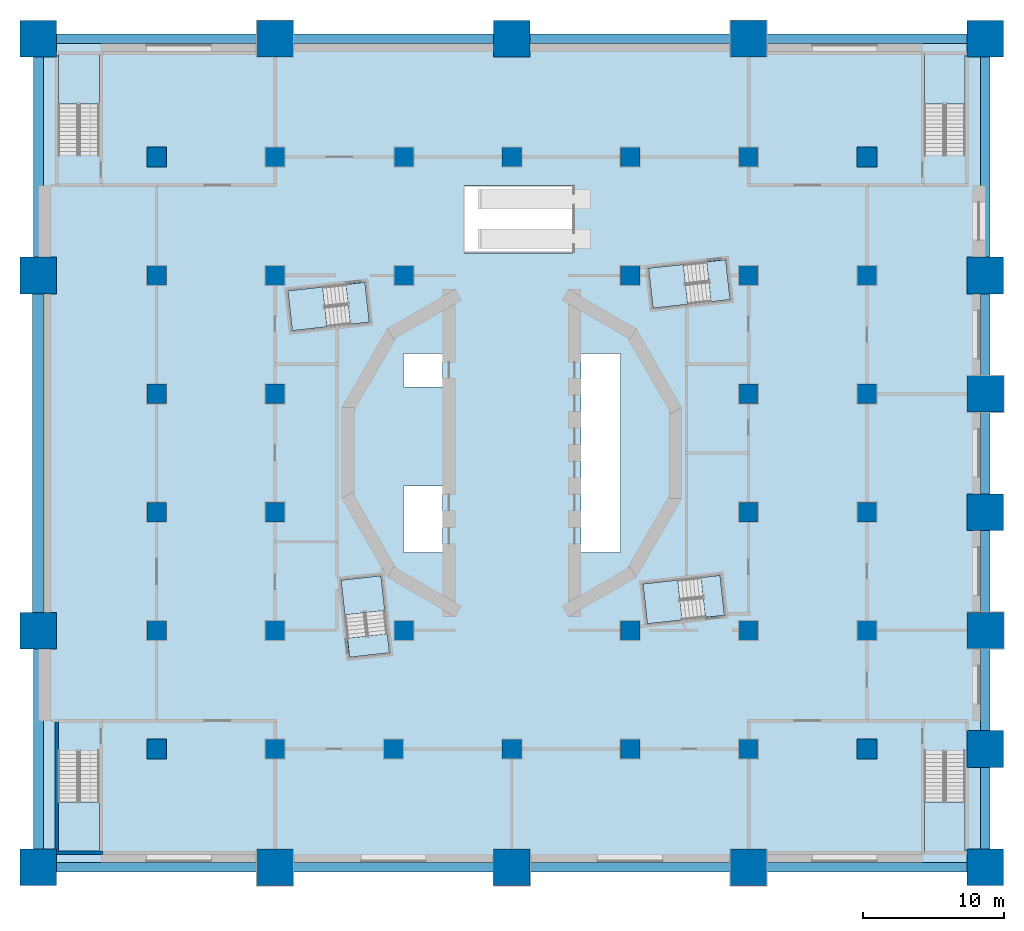
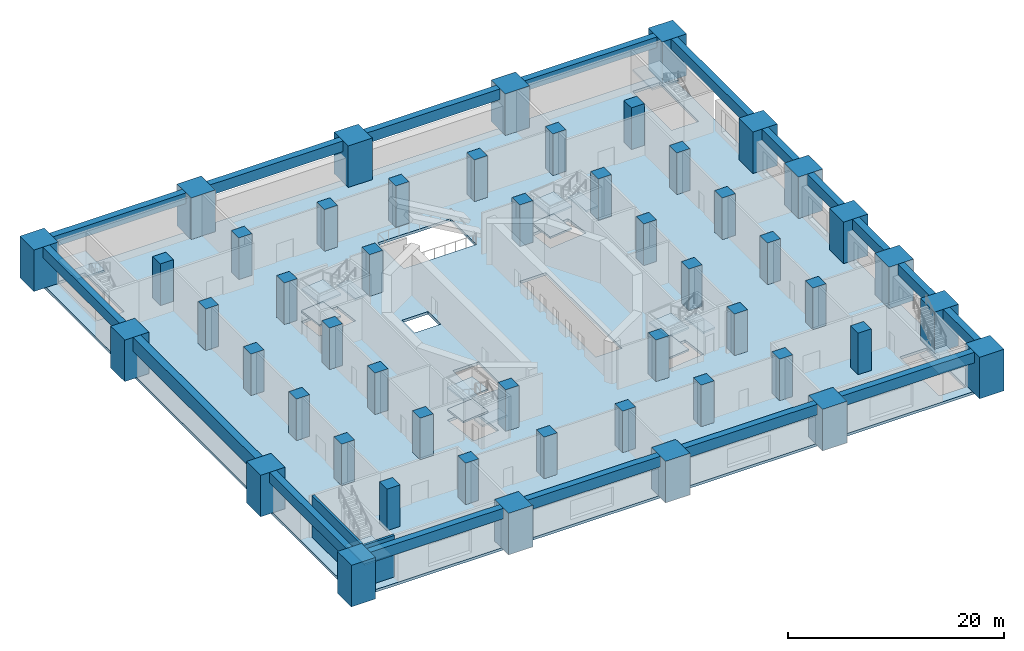
# One storey, part 1 of 18: 51 columns, 17 beams, 17 slabs, 2 walls, 8 elements without a shape of their own.
"""IFC4 building model written with IfcOpenShell, lengths in metres."""

from ifc_helpers import new_model, si_unit, direction, frame, frame_2d, origin, origin_2d, place, context, subcontext, project, spatial, polyline, rectangle, outline, extrude, material, layer, layer_set, material_profile, profile_set, type_object, element, aggregate, save


model = new_model("IFC4")

# Units and contexts
model_context = context("Model", 3, precision=1e-05, world=origin(), true_north=direction((0.0, 1.0)))
body_context = subcontext(model_context, "Body", "Model", "MODEL_VIEW")
ifc_project = project(units=[si_unit("LENGTHUNIT", "METRE"), si_unit("AREAUNIT", "SQUARE_METRE"), si_unit("VOLUMEUNIT", "CUBIC_METRE"), si_unit("PLANEANGLEUNIT", "RADIAN"), si_unit("MASSUNIT", "GRAM", prefix="KILO")], contexts=[model_context])

# Site, building, storey
site_placement = place(None, origin())
site = spatial("IfcSite", under=ifc_project, at=site_placement, CompositionType="ELEMENT")
building_placement = place(site_placement, origin())
building = spatial("IfcBuilding", under=site, at=building_placement, Name="Cantera Rosa Tower", CompositionType="ELEMENT")
storey_placement = place(building_placement, frame((0.0, 0.0, 17.0)))
storey = spatial("IfcBuildingStorey", under=building, at=storey_placement, Name="L02", CompositionType="ELEMENT", Elevation=17.0)

# Columns
ifc_material_1 = material(Name="Concrete C60/75", Category="concrete")
ifc_material_profile_1 = material_profile(ifc_material_1, rectangle(XDim=1.39990234375, YDim=1.39990234375, at=origin_2d()), Name="Column 1400x1400")
ifc_profile_set_1 = profile_set([ifc_material_profile_1], Name="Concrete C60/75")
column_type_1 = type_object("IfcColumnType", Name="Column 1400x1400", PredefinedType="COLUMN", material=ifc_profile_set_1)
for number, where, z_axis, x_axis, name in (
    (1, (-25.199951171875, -21.0, 0.0), (0.0, 0.0, 1.0), (1.0, 0.0, 0.0), "Column C-P-2B"),
    (2, (-25.199951171875, -12.60009765625, 0.0), (0.0, 0.0, 1.0), (1.0, 0.0, 0.0), "Column C-P-2C"),
    (3, (-25.199951171875, -4.199951171875, 0.0), (0.0, 0.0, 1.0), (1.0, 0.0, 0.0), "Column C-P-2D"),
    (4, (-25.199951171875, 4.199951171875, 0.0), (0.0, 0.0, 1.0), (1.0, 0.0, 0.0), "Column C-P-2E"),
    (5, (-25.199951171875, 12.60009765625, 0.0), (0.0, 0.0, 1.0), (1.0, 0.0, 0.0), "Column C-P-2F"),
    (6, (-25.199951171875, 21.0, 0.0), (0.0, 0.0, 1.0), (1.0, 0.0, 0.0), "Column C-P-2G"),
    (7, (-16.800048828125, -21.0, 0.0), (0.0, 0.0, 1.0), (1.0, 0.0, 0.0), "Column C-P-3B"),
    (8, (-16.800048828125, -12.60009765625, 0.0), (0.0, 0.0, 1.0), (1.0, 0.0, 0.0), "Column C-P-3C"),
    (9, (-16.800048828125, -4.199951171875, 0.0), (0.0, 0.0, 1.0), (1.0, 0.0, 0.0), "Column C-P-3D"),
    (10, (-16.800048828125, 4.199951171875, 0.0), (0.0, 0.0, 1.0), (1.0, 0.0, 0.0), "Column C-P-3E"),
    (11, (-16.800048828125, 12.60009765625, 0.0), (0.0, 0.0, 1.0), (1.0, 0.0, 0.0), "Column C-P-3F"),
    (12, (-16.800048828125, 21.0, 0.0), (0.0, 0.0, 1.0), (1.0, 0.0, 0.0), "Column C-P-3G"),
    (13, (-8.39990234375, -21.0, 0.0), (0.0, 0.0, 1.0), (1.0, 0.0, 0.0), "Column C-P-4B"),
    (14, (-7.64990234375, -12.60009765625, 0.0), (0.0, 0.0, 1.0), (1.0, 0.0, 0.0), "Column C-P-4C"),
    (15, (-7.64990234375, 12.60009765625, 0.0), (0.0, 0.0, 1.0), (1.0, 0.0, 0.0), "Column C-B-4N2"),
    (16, (-7.64990234375, 21.0, 0.0), (0.0, 0.0, 1.0), (1.0, 0.0, 0.0), "Column C-B-4N3"),
    (17, (0.0, -21.0, 0.0), (0.0, 0.0, 1.0), (1.0, 0.0, 0.0), "Column C-P-5B"),
    (18, (0.0, 21.0, 0.0), (0.0, 0.0, 1.0), (1.0, 0.0, 0.0), "Column C-P-5G"),
    (19, (8.39990234375, -21.0, 0.0), (0.0, 0.0, 1.0), (1.0, 0.0, 0.0), "Column C-P-6B"),
    (20, (8.39990234375, -12.60009765625, 0.0), (0.0, 0.0, 1.0), (1.0, 0.0, 0.0), "Column C-P-6C"),
    (21, (8.39990234375, 12.60009765625, 0.0), (0.0, 0.0, 1.0), (1.0, 0.0, 0.0), "Column C-P-6F"),
    (22, (8.39990234375, 21.0, 0.0), (0.0, 0.0, 1.0), (1.0, 0.0, 0.0), "Column C-P-6G"),
    (23, (16.800048828125, -21.0, 0.0), (0.0, 0.0, 1.0), (1.0, 0.0, 0.0), "Column C-P-7B"),
    (24, (16.800048828125, -12.60009765625, 0.0), (0.0, 0.0, 1.0), (1.0, 0.0, 0.0), "Column C-P-7C"),
    (25, (16.800048828125, -4.199951171875, 0.0), (0.0, 0.0, 1.0), (1.0, 0.0, 0.0), "Column C-P-7D"),
    (26, (16.800048828125, 4.199951171875, 0.0), (0.0, 0.0, 1.0), (1.0, 0.0, 0.0), "Column C-P-7E"),
    (27, (16.800048828125, 12.60009765625, 0.0), (0.0, 0.0, 1.0), (1.0, 0.0, 0.0), "Column C-P-7F"),
    (28, (16.800048828125, 21.0, 0.0), (0.0, 0.0, 1.0), (1.0, 0.0, 0.0), "Column C-P-7G"),
    (29, (25.199951171875, -21.0, 0.0), (0.0, 0.0, 1.0), (1.0, 0.0, 0.0), "Column C-P-8B"),
    (30, (25.199951171875, -12.60009765625, 0.0), (0.0, 0.0, 1.0), (1.0, 0.0, 0.0), "Column C-P-8C"),
    (31, (25.199951171875, -4.199951171875, 0.0), (0.0, 0.0, 1.0), (1.0, 0.0, 0.0), "Column C-P-8D"),
    (32, (25.199951171875, 4.199951171875, 0.0), (0.0, 0.0, 1.0), (1.0, 0.0, 0.0), "Column C-P-8E"),
    (33, (25.199951171875, 12.60009765625, 0.0), (0.0, 0.0, 1.0), (1.0, 0.0, 0.0), "Column C-P-8F"),
    (34, (25.199951171875, 21.0, 0.0), (0.0, 0.0, 1.0), (1.0, 0.0, 0.0), "Column C-P-8G"),
):
    element("IfcColumn", number, at=place(storey_placement, frame(where, z_axis=z_axis, x_axis=x_axis)), inside=storey, type_object=column_type_1, Name=name, PredefinedType="COLUMN", context=body_context, shape_type="SweptSolid", body=[
        extrude(rectangle(XDim=1.39990234375, YDim=1.39990234375, at=origin_2d()), origin(), (0.0, 0.0, 1.0), 4.699951171875),
    ])
ifc_material_2 = material(Name="Concrete C60/75", Category="concrete")
ifc_material_profile_2 = material_profile(ifc_material_2, rectangle(XDim=2.60009765625, YDim=2.60009765625, at=origin_2d()), Name="Stone pier 2600x2600")
ifc_profile_set_2 = profile_set([ifc_material_profile_2], Name="Concrete C60/75")
column_type_2 = type_object("IfcColumnType", Name="Stone pier 2600x2600", PredefinedType="COLUMN", material=ifc_profile_set_2)
for number, where, z_axis, x_axis, name in (
    (35, (-33.60009765625, -29.39990234375, 0.0), (0.0, 0.0, 1.0), (1.0, 0.0, 0.0), "Column C-P-1A"),
    (36, (-33.60009765625, -12.60009765625, 0.0), (0.0, 0.0, 1.0), (1.0, 0.0, 0.0), "Column C-P-1C"),
    (37, (-33.60009765625, 12.60009765625, 0.0), (0.0, 0.0, 1.0), (1.0, 0.0, 0.0), "Column C-P-1F"),
    (38, (-33.60009765625, 29.39990234375, 0.0), (0.0, 0.0, 1.0), (1.0, 0.0, 0.0), "Column C-P-1H"),
    (39, (-16.800048828125, -29.39990234375, 0.0), (0.0, 0.0, 1.0), (1.0, 0.0, 0.0), "Column C-P-3A"),
    (40, (-16.800048828125, 29.39990234375, 0.0), (0.0, 0.0, 1.0), (1.0, 0.0, 0.0), "Column C-P-3H"),
    (41, (0.0, -29.39990234375, 0.0), (0.0, 0.0, 1.0), (1.0, 0.0, 0.0), "Column C-P-5A"),
    (42, (0.0, 29.39990234375, 0.0), (0.0, 0.0, 1.0), (1.0, 0.0, 0.0), "Column C-P-5H"),
    (43, (16.800048828125, -29.39990234375, 0.0), (0.0, 0.0, 1.0), (1.0, 0.0, 0.0), "Column C-P-7A"),
    (44, (16.800048828125, 29.39990234375, 0.0), (0.0, 0.0, 1.0), (1.0, 0.0, 0.0), "Column C-P-7H"),
    (45, (33.60009765625, -29.39990234375, 0.0), (0.0, 0.0, 1.0), (1.0, 0.0, 0.0), "Column C-P-9A"),
    (46, (33.60009765625, -21.0, 0.0), (0.0, 0.0, 1.0), (1.0, 0.0, 0.0), "Column C-P-9B"),
    (47, (33.60009765625, -12.60009765625, 0.0), (0.0, 0.0, 1.0), (1.0, 0.0, 0.0), "Column C-P-9C"),
    (48, (33.60009765625, -4.199951171875, 0.0), (0.0, 0.0, 1.0), (1.0, 0.0, 0.0), "Column C-P-9D"),
    (49, (33.60009765625, 4.199951171875, 0.0), (0.0, 0.0, 1.0), (1.0, 0.0, 0.0), "Column C-P-9E"),
    (50, (33.60009765625, 12.60009765625, 0.0), (0.0, 0.0, 1.0), (1.0, 0.0, 0.0), "Column C-P-9F"),
    (51, (33.60009765625, 29.39990234375, 0.0), (0.0, 0.0, 1.0), (1.0, 0.0, 0.0), "Column C-P-9H"),
):
    element("IfcColumn", number, at=place(storey_placement, frame(where, z_axis=z_axis, x_axis=x_axis)), inside=storey, type_object=column_type_2, Name=name, PredefinedType="COLUMN", context=body_context, shape_type="SweptSolid", body=[
        extrude(rectangle(XDim=2.60009765625, YDim=2.60009765625, at=origin_2d()), origin(), (0.0, 0.0, 1.0), 4.699951171875),
    ])

# Beams
ifc_material_3 = material(Name="Concrete C50/60", Category="concrete")
ifc_material_profile_3 = material_profile(ifc_material_3, rectangle(XDim=0.699951171875, YDim=1.199951171875, at=origin_2d()), Name="Edge girder 700x1200")
ifc_profile_set_3 = profile_set([ifc_material_profile_3], Name="Concrete C50/60")
beam_type_1 = type_object("IfcBeamType", Name="Edge girder 700x1200", PredefinedType="BEAM", material=ifc_profile_set_3)
beam_1_placement = place(storey_placement, frame((-33.60009765625, -28.10009765625, 4.10009765625), z_axis=(0.0, 1.0, 0.0), x_axis=(-1.0, 0.0, 0.0)))
element("IfcBeam", 52, at=beam_1_placement, inside=storey, type_object=beam_type_1, Name="Edge girder L02-01", PredefinedType="BEAM", context=body_context, shape_type="SweptSolid", body=[
    extrude(rectangle(XDim=0.699951171875, YDim=1.199951171875, at=origin_2d()), origin(), (0.0, 0.0, 1.0), 14.2001953125),
])
beam_2_placement = place(storey_placement, frame((-32.300048828125, -29.39990234375, 4.10009765625), z_axis=(1.0, 0.0, 0.0), x_axis=(0.0, 1.0, 0.0)))
element("IfcBeam", 53, at=beam_2_placement, inside=storey, type_object=beam_type_1, Name="Edge girder L02-02", PredefinedType="BEAM", context=body_context, shape_type="SweptSolid", body=[
    extrude(rectangle(XDim=0.699951171875, YDim=1.199951171875, at=origin_2d()), origin(), (0.0, 0.0, 1.0), 14.199951171875),
])
beam_3_placement = place(storey_placement, frame((-33.60009765625, 13.89990234375, 4.10009765625), z_axis=(0.0, 1.0, 0.0), x_axis=(-1.0, 0.0, 0.0)))
element("IfcBeam", 54, at=beam_3_placement, inside=storey, type_object=beam_type_1, Name="Edge girder L02-04", PredefinedType="BEAM", context=body_context, shape_type="SweptSolid", body=[
    extrude(rectangle(XDim=0.699951171875, YDim=1.199951171875, at=origin_2d()), origin(), (0.0, 0.0, 1.0), 14.2001953125),
])
for number, where, z_axis, x_axis, name in (
    (55, (-32.300048828125, 29.39990234375, 4.10009765625), (1.0, 0.0, 0.0), (0.0, 1.0, 0.0), "Edge girder L02-05"),
    (56, (-15.5, -29.39990234375, 4.10009765625), (1.0, 0.0, 0.0), (0.0, 1.0, 0.0), "Edge girder L02-06"),
    (57, (-15.5, 29.39990234375, 4.10009765625), (1.0, 0.0, 0.0), (0.0, 1.0, 0.0), "Edge girder L02-07"),
    (58, (1.300048828125, -29.39990234375, 4.10009765625), (1.0, 0.0, 0.0), (0.0, 1.0, 0.0), "Edge girder L02-08"),
    (59, (1.300048828125, 29.39990234375, 4.10009765625), (1.0, 0.0, 0.0), (0.0, 1.0, 0.0), "Edge girder L02-09"),
    (60, (18.10009765625, -29.39990234375, 4.10009765625), (1.0, 0.0, 0.0), (0.0, 1.0, 0.0), "Edge girder L02-10"),
    (61, (18.10009765625, 29.39990234375, 4.10009765625), (1.0, 0.0, 0.0), (0.0, 1.0, 0.0), "Edge girder L02-11"),
):
    element("IfcBeam", number, at=place(storey_placement, frame(where, z_axis=z_axis, x_axis=x_axis)), inside=storey, type_object=beam_type_1, Name=name, PredefinedType="BEAM", context=body_context, shape_type="SweptSolid", body=[
        extrude(rectangle(XDim=0.699951171875, YDim=1.199951171875, at=origin_2d()), origin(), (0.0, 0.0, 1.0), 14.199951171875),
    ])
for number, where, z_axis, x_axis, name in (
    (62, (33.60009765625, -28.10009765625, 4.10009765625), (0.0, 1.0, 0.0), (-1.0, 0.0, 0.0), "Edge girder L02-12"),
    (63, (33.60009765625, -19.699951171875, 4.10009765625), (0.0, 1.0, 0.0), (-1.0, 0.0, 0.0), "Edge girder L02-13"),
    (64, (33.60009765625, -11.300048828125, 4.10009765625), (0.0, 1.0, 0.0), (-1.0, 0.0, 0.0), "Edge girder L02-14"),
):
    element("IfcBeam", number, at=place(storey_placement, frame(where, z_axis=z_axis, x_axis=x_axis)), inside=storey, type_object=beam_type_1, Name=name, PredefinedType="BEAM", context=body_context, shape_type="SweptSolid", body=[
        extrude(rectangle(XDim=0.699951171875, YDim=1.199951171875, at=origin_2d()), origin(), (0.0, 0.0, 1.0), 5.800048828125),
    ])
beam_4_placement = place(storey_placement, frame((33.60009765625, -2.89990234375, 4.10009765625), z_axis=(0.0, 1.0, 0.0), x_axis=(-1.0, 0.0, 0.0)))
element("IfcBeam", 65, at=beam_4_placement, inside=storey, type_object=beam_type_1, Name="Edge girder L02-15", PredefinedType="BEAM", context=body_context, shape_type="SweptSolid", body=[
    extrude(rectangle(XDim=0.699951171875, YDim=1.199951171875, at=origin_2d()), origin(), (0.0, 0.0, 1.0), 5.7998046875),
])
beam_5_placement = place(storey_placement, frame((33.60009765625, 5.5, 4.10009765625), z_axis=(0.0, 1.0, 0.0), x_axis=(-1.0, 0.0, 0.0)))
element("IfcBeam", 66, at=beam_5_placement, inside=storey, type_object=beam_type_1, Name="Edge girder L02-16", PredefinedType="BEAM", context=body_context, shape_type="SweptSolid", body=[
    extrude(rectangle(XDim=0.699951171875, YDim=1.199951171875, at=origin_2d()), origin(), (0.0, 0.0, 1.0), 5.800048828125),
])
beam_6_placement = place(storey_placement, frame((33.60009765625, 13.89990234375, 4.10009765625), z_axis=(0.0, 1.0, 0.0), x_axis=(-1.0, 0.0, 0.0)))
element("IfcBeam", 67, at=beam_6_placement, inside=storey, type_object=beam_type_1, Name="Edge girder L02-17", PredefinedType="BEAM", context=body_context, shape_type="SweptSolid", body=[
    extrude(rectangle(XDim=0.699951171875, YDim=1.199951171875, at=origin_2d()), origin(), (0.0, 0.0, 1.0), 14.2001953125),
])
ifc_material_4 = material(Name="Concrete C50/60", Category="concrete")
ifc_material_profile_4 = material_profile(ifc_material_4, rectangle(XDim=0.800048828125, YDim=1.60009765625, at=origin_2d()), Name="Edge girder 800x1600")
ifc_profile_set_4 = profile_set([ifc_material_profile_4], Name="Concrete C50/60")
beam_type_2 = type_object("IfcBeamType", Name="Edge girder 800x1600", PredefinedType="BEAM", material=ifc_profile_set_4)
beam_7_placement = place(storey_placement, frame((-33.60009765625, -11.300048828125, 3.89990234375), z_axis=(0.0, 1.0, 0.0), x_axis=(-1.0, 0.0, 0.0)))
element("IfcBeam", 68, at=beam_7_placement, inside=storey, type_object=beam_type_2, Name="Edge girder L02-03", PredefinedType="BEAM", context=body_context, shape_type="SweptSolid", body=[
    extrude(rectangle(XDim=0.800048828125, YDim=1.60009765625, at=origin_2d()), origin(), (0.0, 0.0, 1.0), 22.60009765625),
])

# Slab
ifc_material_5 = material(Name="Concrete C35/45", Category="concrete")
ifc_layer_1 = layer(ifc_material_5, 0.300048828125)
ifc_layer_set_1 = layer_set([ifc_layer_1], Name="Flat slab 300")
slab_type_1 = type_object("IfcSlabType", Name="Flat slab 300", PredefinedType="FLOOR", material=ifc_layer_set_1)
slab_1_placement = place(storey_placement, frame((0.0, 0.0, -0.300048828125)))
element("IfcSlab", 69, at=slab_1_placement, inside=storey, type_object=slab_type_1, Name="Floor slab L02", PredefinedType="FLOOR", context=body_context, shape_type="SweptSolid", body=[
    extrude(outline(polyline([(-33.60009765625, -29.39990234375), (33.60009765625, -29.39990234375), (33.60009765625, 29.39990234375), (-33.60009765625, 29.39990234375), (-33.60009765625, -29.39990234375)]), holes=[polyline([(29.27490234375, -28.375), (32.175048828125, -28.375), (32.175048828125, -21.136962890625), (29.27490234375, -21.136962890625), (29.27490234375, -28.375)]), polyline([(32.175048828125, 21.136962890625), (32.175048828125, 28.375), (29.27490234375, 28.375), (29.27490234375, 21.136962890625), (32.175048828125, 21.136962890625)]), polyline([(13.822265625, 13.5693359375), (9.709716796875, 13.11279296875), (10.02392578125, 10.2802734375), (14.13671875, 10.73681640625), (13.822265625, 13.5693359375)]), polyline([(9.3095703125, -9.287109375), (9.6240234375, -12.11962890625), (13.73681640625, -11.6630859375), (13.42236328125, -8.83056640625), (9.3095703125, -9.287109375)]), polyline([(4.89990234375, -7.050048828125), (7.699951171875, -7.050048828125), (7.699951171875, 7.050048828125), (4.89990234375, 7.050048828125), (4.89990234375, -7.050048828125)]), polyline([(4.39990234375, 14.199951171875), (4.39990234375, 19.0), (-3.39404296875, 19.0), (-3.39404296875, 14.199951171875), (4.39990234375, 14.199951171875)]), polyline([(-7.699951171875, -7.050048828125), (-4.89990234375, -7.050048828125), (-4.89990234375, -2.35009765625), (-7.699951171875, -2.35009765625), (-7.699951171875, -7.050048828125)]), polyline([(-4.89990234375, 7.050048828125), (-7.699951171875, 7.050048828125), (-7.699951171875, 4.699951171875), (-4.89990234375, 4.699951171875), (-4.89990234375, 7.050048828125)]), polyline([(-9.287109375, -8.709716796875), (-12.11962890625, -9.02392578125), (-11.6630859375, -13.13671875), (-8.83056640625, -12.822265625), (-9.287109375, -8.709716796875)]), polyline([(-15.890380859375, 11.512939453125), (-15.575927734375, 8.680419921875), (-11.46337890625, 9.13671875), (-11.777587890625, 11.969482421875), (-15.890380859375, 11.512939453125)]), polyline([(-32.175048828125, -28.375), (-29.27490234375, -28.375), (-29.27490234375, -21.136962890625), (-32.175048828125, -21.136962890625), (-32.175048828125, -28.375)]), polyline([(-29.27490234375, 21.136962890625), (-29.27490234375, 28.375), (-32.175048828125, 28.375), (-32.175048828125, 21.136962890625), (-29.27490234375, 21.136962890625)])]), origin(), (0.0, 0.0, 1.0), 0.300048828125),
])

# Stair, slabs
ifc_material_6 = material(Name="Concrete C35/45", Category="concrete")
stair_type_1 = type_object("IfcStairType", Name="EXIT STAIR 1350 DOGLEG", PredefinedType="HALF_TURN_STAIR", material=ifc_material_6)
stair_1_placement = place(storey_placement, origin())
stair_1 = element("IfcStair", 70, at=stair_1_placement, inside=storey, type_object=stair_type_1, Name="L02 ST-11", PredefinedType="HALF_TURN_STAIR")
ifc_material_7 = material(Name="Concrete C35/45", Category="concrete")
ifc_layer_2 = layer(ifc_material_7, 0.199951171875)
ifc_layer_set_2 = layer_set([ifc_layer_2], Name="STAIR LANDING 200")
slab_type_2 = type_object("IfcSlabType", Name="STAIR LANDING 200", PredefinedType="LANDING", material=ifc_layer_set_2)
slab_2_placement = place(storey_placement, frame((0.0, 0.0, 1.050048828125)))
slab_2 = element("IfcSlab", 71, at=slab_2_placement, type_object=slab_type_2, Name="ST-11 landing 1", PredefinedType="LANDING", context=body_context, shape_type="SweptSolid", body=[
    extrude(outline(polyline([(12.176513671875, 13.38671875), (9.70947265625, 13.113037109375), (10.02392578125, 10.2802734375), (12.49072265625, 10.55419921875), (12.176513671875, 13.38671875)])), origin(), (0.0, 0.0, 1.0), 0.199951171875),
])
slab_3_placement = place(storey_placement, frame((0.0, 0.0, 2.300048828125)))
slab_3 = element("IfcSlab", 72, at=slab_3_placement, type_object=slab_type_2, Name="ST-11 landing 2", PredefinedType="LANDING", context=body_context, shape_type="SweptSolid", body=[
    extrude(outline(polyline([(15.176025390625, 13.7197265625), (13.822265625, 13.5693359375), (14.13671875, 10.73681640625), (15.490478515625, 10.886962890625), (15.176025390625, 13.7197265625)])), origin(), (0.0, 0.0, 1.0), 0.199951171875),
])
slab_4_placement = place(storey_placement, frame((0.0, 0.0, 3.550048828125)))
slab_4 = element("IfcSlab", 73, at=slab_4_placement, type_object=slab_type_2, Name="ST-11 landing 3", PredefinedType="LANDING", context=body_context, shape_type="SweptSolid", body=[
    extrude(outline(polyline([(12.176513671875, 13.38671875), (9.70947265625, 13.113037109375), (10.02392578125, 10.2802734375), (12.49072265625, 10.55419921875), (12.176513671875, 13.38671875)])), origin(), (0.0, 0.0, 1.0), 0.199951171875),
])
aggregate(stair_1, [slab_2, slab_3, slab_4])

stair_2_placement = place(storey_placement, origin())
stair_2 = element("IfcStair", 74, at=stair_2_placement, inside=storey, type_object=stair_type_1, Name="L02 ST-12", PredefinedType="HALF_TURN_STAIR")
slab_5_placement = place(storey_placement, frame((0.0, 0.0, 1.050048828125)))
slab_5 = element("IfcSlab", 75, at=slab_5_placement, type_object=slab_type_2, Name="ST-12 landing 1", PredefinedType="LANDING", context=body_context, shape_type="SweptSolid", body=[
    extrude(outline(polyline([(-13.423583984375, 11.78662109375), (-15.890380859375, 11.512939453125), (-15.575927734375, 8.680419921875), (-13.109130859375, 8.9541015625), (-13.423583984375, 11.78662109375)])), origin(), (0.0, 0.0, 1.0), 0.199951171875),
])
slab_6_placement = place(storey_placement, frame((0.0, 0.0, 2.300048828125)))
slab_6 = element("IfcSlab", 76, at=slab_6_placement, type_object=slab_type_2, Name="ST-12 landing 2", PredefinedType="LANDING", context=body_context, shape_type="SweptSolid", body=[
    extrude(outline(polyline([(-10.424072265625, 12.11962890625), (-11.777587890625, 11.969482421875), (-11.46337890625, 9.13671875), (-10.109619140625, 9.287109375), (-10.424072265625, 12.11962890625)])), origin(), (0.0, 0.0, 1.0), 0.199951171875),
])
slab_7_placement = place(storey_placement, frame((0.0, 0.0, 3.550048828125)))
slab_7 = element("IfcSlab", 77, at=slab_7_placement, type_object=slab_type_2, Name="ST-12 landing 3", PredefinedType="LANDING", context=body_context, shape_type="SweptSolid", body=[
    extrude(outline(polyline([(-13.423583984375, 11.78662109375), (-15.890380859375, 11.512939453125), (-15.575927734375, 8.680419921875), (-13.109130859375, 8.9541015625), (-13.423583984375, 11.78662109375)])), origin(), (0.0, 0.0, 1.0), 0.199951171875),
])
aggregate(stair_2, [slab_5, slab_6, slab_7])

stair_3_placement = place(storey_placement, origin())
stair_3 = element("IfcStair", 78, at=stair_3_placement, inside=storey, type_object=stair_type_1, Name="L02 ST-13", PredefinedType="HALF_TURN_STAIR")
slab_8_placement = place(storey_placement, frame((0.0, 0.0, 1.050048828125)))
slab_8 = element("IfcSlab", 79, at=slab_8_placement, type_object=slab_type_2, Name="ST-13 landing 1", PredefinedType="LANDING", context=body_context, shape_type="SweptSolid", body=[
    extrude(outline(polyline([(-9.01318359375, -11.176513671875), (-9.287109375, -8.70947265625), (-12.11962890625, -9.02392578125), (-11.845947265625, -11.49072265625), (-9.01318359375, -11.176513671875)])), origin(), (0.0, 0.0, 1.0), 0.199951171875),
])
slab_9_placement = place(storey_placement, frame((0.0, 0.0, 2.300048828125)))
slab_9 = element("IfcSlab", 80, at=slab_9_placement, type_object=slab_type_2, Name="ST-13 landing 2", PredefinedType="LANDING", context=body_context, shape_type="SweptSolid", body=[
    extrude(outline(polyline([(-8.680419921875, -14.176025390625), (-8.83056640625, -12.822265625), (-11.6630859375, -13.13671875), (-11.512939453125, -14.490478515625), (-8.680419921875, -14.176025390625)])), origin(), (0.0, 0.0, 1.0), 0.199951171875),
])
slab_10_placement = place(storey_placement, frame((0.0, 0.0, 3.550048828125)))
slab_10 = element("IfcSlab", 81, at=slab_10_placement, type_object=slab_type_2, Name="ST-13 landing 3", PredefinedType="LANDING", context=body_context, shape_type="SweptSolid", body=[
    extrude(outline(polyline([(-9.01318359375, -11.176513671875), (-9.287109375, -8.70947265625), (-12.11962890625, -9.02392578125), (-11.845947265625, -11.49072265625), (-9.01318359375, -11.176513671875)])), origin(), (0.0, 0.0, 1.0), 0.199951171875),
])
aggregate(stair_3, [slab_8, slab_9, slab_10])

stair_4_placement = place(storey_placement, origin())
stair_4 = element("IfcStair", 82, at=stair_4_placement, inside=storey, type_object=stair_type_1, Name="L02 ST-14", PredefinedType="HALF_TURN_STAIR")
slab_11_placement = place(storey_placement, frame((0.0, 0.0, 1.050048828125)))
slab_11 = element("IfcSlab", 83, at=slab_11_placement, type_object=slab_type_2, Name="ST-14 landing 1", PredefinedType="LANDING", context=body_context, shape_type="SweptSolid", body=[
    extrude(outline(polyline([(11.7763671875, -9.01318359375), (9.3095703125, -9.287109375), (9.6240234375, -12.11962890625), (12.0908203125, -11.845947265625), (11.7763671875, -9.01318359375)])), origin(), (0.0, 0.0, 1.0), 0.199951171875),
])
slab_12_placement = place(storey_placement, frame((0.0, 0.0, 2.300048828125)))
slab_12 = element("IfcSlab", 84, at=slab_12_placement, type_object=slab_type_2, Name="ST-14 landing 2", PredefinedType="LANDING", context=body_context, shape_type="SweptSolid", body=[
    extrude(outline(polyline([(14.776123046875, -8.680419921875), (13.42236328125, -8.83056640625), (13.73681640625, -11.6630859375), (15.09033203125, -11.512939453125), (14.776123046875, -8.680419921875)])), origin(), (0.0, 0.0, 1.0), 0.199951171875),
])
slab_13_placement = place(storey_placement, frame((0.0, 0.0, 3.550048828125)))
slab_13 = element("IfcSlab", 85, at=slab_13_placement, type_object=slab_type_2, Name="ST-14 landing 3", PredefinedType="LANDING", context=body_context, shape_type="SweptSolid", body=[
    extrude(outline(polyline([(11.7763671875, -9.01318359375), (9.3095703125, -9.287109375), (9.6240234375, -12.11962890625), (12.0908203125, -11.845947265625), (11.7763671875, -9.01318359375)])), origin(), (0.0, 0.0, 1.0), 0.199951171875),
])
aggregate(stair_4, [slab_11, slab_12, slab_13])

# Stair, slab
ifc_material_8 = material(Name="Concrete C35/45", Category="concrete")
stair_type_2 = type_object("IfcStairType", Name="Stair half-turn 1350", PredefinedType="HALF_TURN_STAIR", material=ifc_material_8)
stair_5_placement = place(storey_placement, origin())
stair_5 = element("IfcStair", 86, at=stair_5_placement, inside=storey, type_object=stair_type_2, Name="L02 ST-NE", PredefinedType="HALF_TURN_STAIR")
ifc_material_9 = material(Name="Concrete C35/45", Category="concrete")
ifc_layer_3 = layer(ifc_material_9, 0.199951171875)
ifc_layer_set_3 = layer_set([ifc_layer_3], Name="Stair landing 200")
slab_type_3 = type_object("IfcSlabType", Name="Stair landing 200", PredefinedType="LANDING", material=ifc_layer_set_3)
slab_14_placement = place(storey_placement, frame((0.0, 0.0, 2.300048828125)))
slab_14 = element("IfcSlab", 87, at=slab_14_placement, type_object=slab_type_3, Name="ST-NE landing 1", PredefinedType="LANDING", context=body_context, shape_type="SweptSolid", body=[
    extrude(outline(polyline([(32.175048828125, 24.7529296875), (32.175048828125, 28.375), (29.27490234375, 28.375), (29.27490234375, 24.7529296875), (32.175048828125, 24.7529296875)])), origin(), (0.0, 0.0, 1.0), 0.199951171875),
])
aggregate(stair_5, [slab_14])

stair_6_placement = place(storey_placement, origin())
stair_6 = element("IfcStair", 88, at=stair_6_placement, inside=storey, type_object=stair_type_2, Name="L02 ST-NW", PredefinedType="HALF_TURN_STAIR")
slab_15_placement = place(storey_placement, frame((0.0, 0.0, 2.300048828125)))
slab_15 = element("IfcSlab", 89, at=slab_15_placement, type_object=slab_type_3, Name="ST-NW landing 1", PredefinedType="LANDING", context=body_context, shape_type="SweptSolid", body=[
    extrude(outline(polyline([(-29.27490234375, 24.7529296875), (-29.27490234375, 28.375), (-32.175048828125, 28.375), (-32.175048828125, 24.7529296875), (-29.27490234375, 24.7529296875)])), origin(), (0.0, 0.0, 1.0), 0.199951171875),
])
aggregate(stair_6, [slab_15])

stair_7_placement = place(storey_placement, origin())
stair_7 = element("IfcStair", 90, at=stair_7_placement, inside=storey, type_object=stair_type_2, Name="L02 ST-SE", PredefinedType="HALF_TURN_STAIR")
slab_16_placement = place(storey_placement, frame((0.0, 0.0, 2.300048828125)))
slab_16 = element("IfcSlab", 91, at=slab_16_placement, type_object=slab_type_3, Name="ST-SE landing 1", PredefinedType="LANDING", context=body_context, shape_type="SweptSolid", body=[
    extrude(outline(polyline([(29.27490234375, -24.7529296875), (29.27490234375, -28.375), (32.175048828125, -28.375), (32.175048828125, -24.7529296875), (29.27490234375, -24.7529296875)])), origin(), (0.0, 0.0, 1.0), 0.199951171875),
])
aggregate(stair_7, [slab_16])

stair_8_placement = place(storey_placement, origin())
stair_8 = element("IfcStair", 92, at=stair_8_placement, inside=storey, type_object=stair_type_2, Name="L02 ST-SW", PredefinedType="HALF_TURN_STAIR")
slab_17_placement = place(storey_placement, frame((0.0, 0.0, 2.300048828125)))
slab_17 = element("IfcSlab", 93, at=slab_17_placement, type_object=slab_type_3, Name="ST-SW landing 1", PredefinedType="LANDING", context=body_context, shape_type="SweptSolid", body=[
    extrude(outline(polyline([(-32.175048828125, -24.7529296875), (-32.175048828125, -28.375), (-29.27490234375, -28.375), (-29.27490234375, -24.7529296875), (-32.175048828125, -24.7529296875)])), origin(), (0.0, 0.0, 1.0), 0.199951171875),
])
aggregate(stair_8, [slab_17])

# Walls
ifc_material_10 = material(Name="Concrete C50/60", Category="concrete")
ifc_layer_4 = layer(ifc_material_10, 0.25)
ifc_layer_set_4 = layer_set([ifc_layer_4], Name="External stair wall 250")
wall_type_1 = type_object("IfcWallType", Name="External stair wall 250", PredefinedType="SOLIDWALL", material=ifc_layer_set_4)
wall_1_placement = place(storey_placement, frame((-29.02490234375, -28.375, 0.0), z_axis=(0.0, 0.0, 1.0), x_axis=(-1.0, 0.0, 0.0)))
element("IfcWall", 94, at=wall_1_placement, inside=storey, type_object=wall_type_1, Name="Stair wall L02-72", PredefinedType="SOLIDWALL", context=body_context, shape_type="SweptSolid", body=[
    extrude(rectangle(XDim=3.275146484375, YDim=0.25, at=frame_2d((1.6376953125, 0.0))), origin(), (0.0, 0.0, 1.0), 4.699951171875),
])
ifc_material_11 = material(Name="Concrete C50/60", Category="concrete")
ifc_layer_5 = layer(ifc_material_11, 0.25)
ifc_layer_set_5 = layer_set([ifc_layer_5], Name="RC stair wall 250 C50/60")
wall_type_2 = type_object("IfcWallType", Name="RC stair wall 250", PredefinedType="SOLIDWALL", material=ifc_layer_set_5)
wall_2_placement = place(storey_placement, frame((-32.300048828125, -28.10009765625, 0.0), z_axis=(0.0, 0.0, 1.0), x_axis=(0.0, 1.0, 0.0)))
element("IfcWall", 95, at=wall_2_placement, inside=storey, type_object=wall_type_2, Name="Stair wall L02-63", PredefinedType="SOLIDWALL", context=body_context, shape_type="SweptSolid", body=[
    extrude(rectangle(XDim=9.0, YDim=0.25, at=frame_2d((4.5, 0.0))), origin(), (0.0, 0.0, 1.0), 4.699951171875),
])

save(model, "model.ifc")
